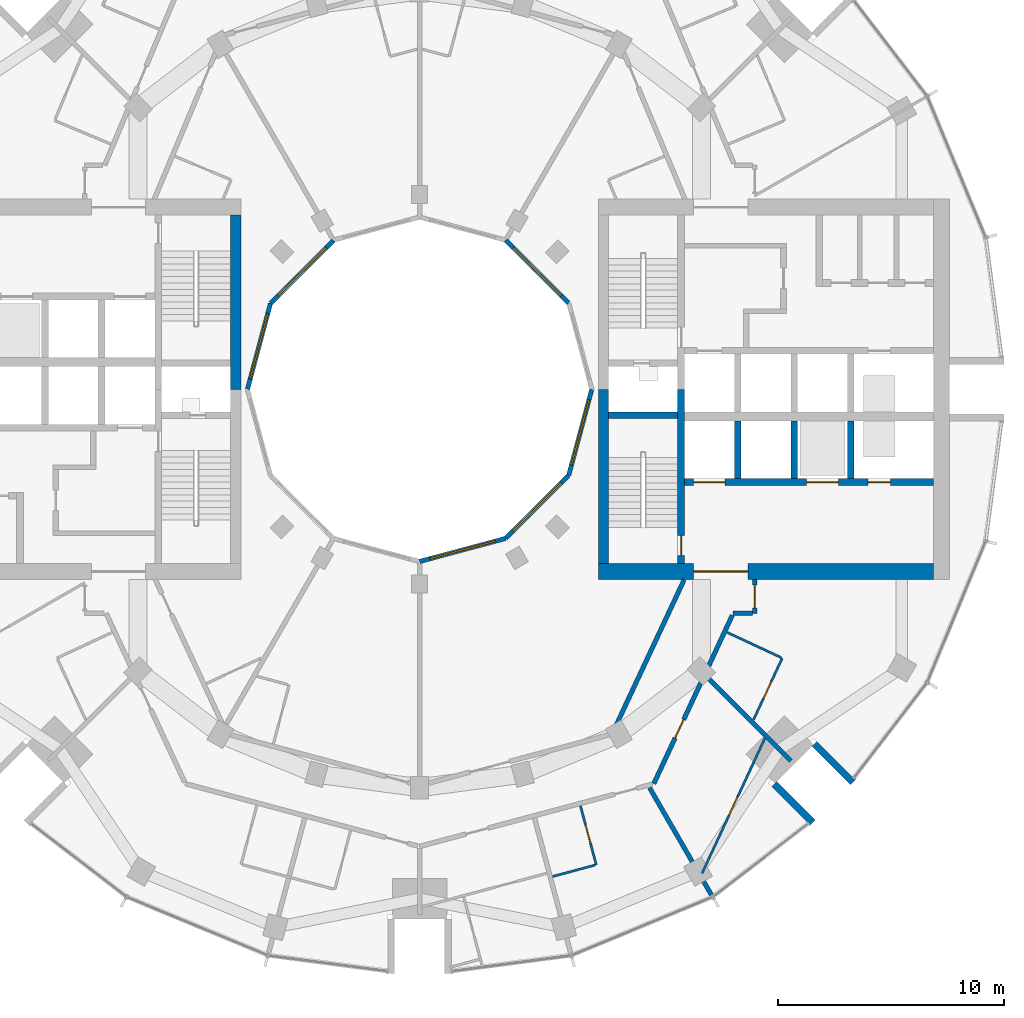
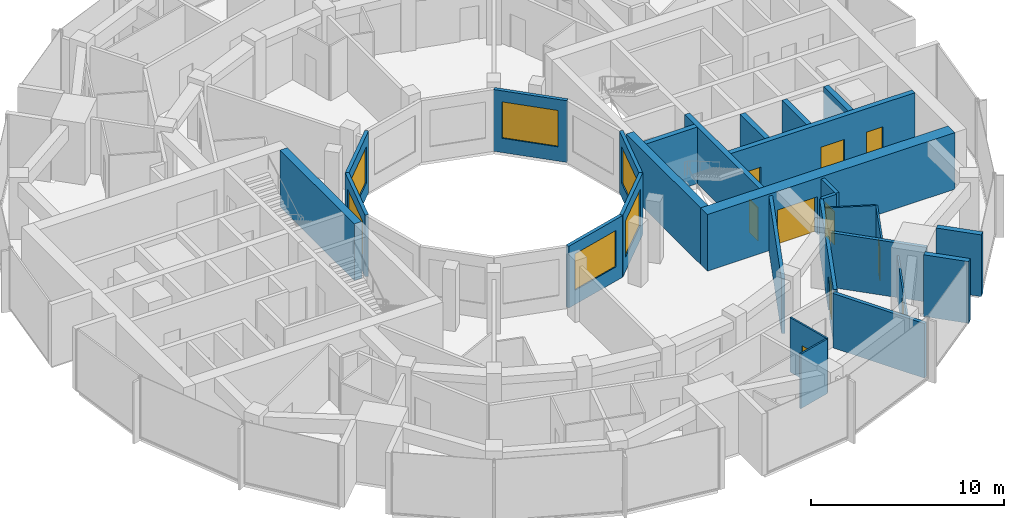
# One storey, part 10 of 15: 28 walls, 10 doors, 6 windows, 16 openings.
"""IFC4 building model written with IfcOpenShell, lengths in metres."""

from ifc_helpers import new_model, si_unit, direction, frame, frame_2d, origin, place, context, subcontext, project, spatial, rectangle, extrude, material, layer, layer_set, type_object, element, fill, save


model = new_model("IFC4")

# Units and contexts
model_context = context("Model", 3, precision=1e-05, world=origin(), true_north=direction((0.0, 1.0)))
body_context = subcontext(model_context, "Body", "Model", "MODEL_VIEW")
ifc_project = project(units=[si_unit("LENGTHUNIT", "METRE"), si_unit("AREAUNIT", "SQUARE_METRE"), si_unit("VOLUMEUNIT", "CUBIC_METRE"), si_unit("PLANEANGLEUNIT", "RADIAN"), si_unit("MASSUNIT", "GRAM", prefix="KILO")], contexts=[model_context])

# Site, building, storey
site_placement = place(None, origin())
site = spatial("IfcSite", under=ifc_project, at=site_placement, CompositionType="ELEMENT")
building_placement = place(site_placement, origin())
building = spatial("IfcBuilding", under=site, at=building_placement, Name="Torre Brocal", CompositionType="ELEMENT")
storey_placement = place(building_placement, frame((0.0, 0.0, 134.10009765625)))
storey = spatial("IfcBuildingStorey", under=building, at=storey_placement, Name="L31", CompositionType="ELEMENT", Elevation=134.10009765625)

# Wall, opening, door
ifc_material_1 = material(Name="Concrete C70", Category="concrete")
ifc_layer_1 = layer(ifc_material_1, 0.300048828125)
ifc_layer_set_1 = layer_set([ifc_layer_1], Name="Concrete C70")
wall_type_1 = type_object("IfcWallType", Name="CORE WALL 300 C70", PredefinedType="SHEAR", material=ifc_layer_set_1)
wall_1_placement = place(storey_placement, frame((91.550048828125, 67.300048828125, 0.0), z_axis=(0.0, 0.0, 1.0), x_axis=(0.0, 1.0, 0.0)))
wall_1 = element("IfcWall", 1, at=wall_1_placement, inside=storey, type_object=wall_type_1, Name="Wall CW300-70", PredefinedType="SHEAR", context=body_context, shape_type="SweptSolid", body=[
    extrude(rectangle(XDim=7.699951171875, YDim=0.300048828125, at=frame_2d((3.85009765625, 0.0))), origin(), (0.0, 0.0, 1.0), 3.579833984375),
])
opening_1_placement = place(wall_1_placement, frame((0.35009765625, 0.0, 0.0)))
opening_1 = element("IfcOpeningElement", 2, at=opening_1_placement, cuts=wall_1, Name="Opening E-D03", PredefinedType="OPENING", context=body_context, shape_type="SweptSolid", body=[
    extrude(rectangle(XDim=0.89990234375, YDim=2.10009765625, at=frame_2d((0.449951171875, 1.050048828125))), frame((0.0, 0.159912109375, 0.0), z_axis=(0.0, -1.0, 0.0), x_axis=(1.0, 0.0, 0.0)), (0.0, 0.0, 1.0), 0.320068359375),
])
ifc_material_2 = material(Name="Steel A653", Category="steel")
door_type_1 = type_object("IfcDoorType", Name="STAIR DOOR FD120 900X2100", OperationType="SINGLE_SWING_RIGHT", PredefinedType="DOOR", material=ifc_material_2)
door_1_placement = place(opening_1_placement, origin())
door_1 = element("IfcDoor", 3, at=door_1_placement, inside=storey, type_object=door_type_1, Name="Door E-D03", OperationType="SINGLE_SWING_LEFT", OverallHeight=2.10009765625, OverallWidth=0.89990234375, PredefinedType="DOOR", context=body_context, shape_type="SweptSolid", body=[
    extrude(rectangle(XDim=0.89990234375, YDim=2.10009765625, at=frame_2d((0.449951171875, 1.050048828125))), frame((0.0, 0.02490234375, 0.0), z_axis=(0.0, -1.0, 0.0), x_axis=(1.0, 0.0, 0.0)), (0.0, 0.0, 1.0), 0.050048828125),
])
fill(opening_1, door_1)

# Wall
wall_2_placement = place(storey_placement, frame((88.35009765625, 73.85009765625, 0.0), z_axis=(0.0, 0.0, 1.0), x_axis=(1.0, 0.0, 0.0)))
element("IfcWall", 4, at=wall_2_placement, inside=storey, type_object=wall_type_1, Name="Wall CW300-70", PredefinedType="SHEAR", context=body_context, shape_type="SweptSolid", body=[
    extrude(rectangle(XDim=3.0498046875, YDim=0.300048828125, at=frame_2d((1.52490234375, 0.0))), origin(), (0.0, 0.0, 1.0), 3.579833984375),
])

# Wall, openings, doors
wall_3_placement = place(storey_placement, frame((91.699951171875, 70.89990234375, 0.0), z_axis=(0.0, 0.0, 1.0), x_axis=(1.0, 0.0, 0.0)))
wall_3 = element("IfcWall", 5, at=wall_3_placement, inside=storey, type_object=wall_type_1, Name="Wall CW300-70", PredefinedType="SHEAR", context=body_context, shape_type="SweptSolid", body=[
    extrude(rectangle(XDim=11.0, YDim=0.300048828125, at=frame_2d((5.5, 0.0))), origin(), (0.0, 0.0, 1.0), 3.579833984375),
])
opening_2_placement = place(wall_3_placement, frame((0.39990234375, 0.0, 0.0)))
opening_2 = element("IfcOpeningElement", 6, at=opening_2_placement, cuts=wall_3, Name="Opening LD14", PredefinedType="OPENING", context=body_context, shape_type="SweptSolid", body=[
    extrude(rectangle(XDim=1.39990234375, YDim=2.10009765625, at=frame_2d((0.699951171875, 1.050048828125))), frame((0.0, 0.159912109375, 0.0), z_axis=(0.0, -1.0, 0.0), x_axis=(1.0, 0.0, 0.0)), (0.0, 0.0, 1.0), 0.320068359375),
])
opening_3_placement = place(wall_3_placement, frame((5.39990234375, 0.0, 0.0)))
opening_3 = element("IfcOpeningElement", 7, at=opening_3_placement, cuts=wall_3, Name="Opening LD14", PredefinedType="OPENING", context=body_context, shape_type="SweptSolid", body=[
    extrude(rectangle(XDim=1.39990234375, YDim=2.10009765625, at=frame_2d((0.699951171875, 1.050048828125))), frame((0.0, 0.159912109375, 0.0), z_axis=(0.0, -1.0, 0.0), x_axis=(1.0, 0.0, 0.0)), (0.0, 0.0, 1.0), 0.320068359375),
])
opening_4_placement = place(wall_3_placement, frame((8.10009765625, 0.0, 0.0)))
opening_4 = element("IfcOpeningElement", 8, at=opening_4_placement, cuts=wall_3, Name="Opening LD10", PredefinedType="OPENING", context=body_context, shape_type="SweptSolid", body=[
    extrude(rectangle(XDim=1.0, YDim=2.10009765625, at=frame_2d((0.5, 1.050048828125))), frame((0.0, 0.159912109375, 0.0), z_axis=(0.0, -1.0, 0.0), x_axis=(1.0, 0.0, 0.0)), (0.0, 0.0, 1.0), 0.320068359375),
])
ifc_material_3 = material(Name="Stainless steel AISI 316", Category="steel")
door_type_2 = type_object("IfcDoorType", Name="LIFT LANDING DOOR 1000X2100", OperationType="DOUBLE_DOOR_SLIDING", PredefinedType="DOOR", material=ifc_material_3)
door_2_placement = place(opening_4_placement, origin())
door_2 = element("IfcDoor", 9, at=door_2_placement, inside=storey, type_object=door_type_2, Name="Door LD10", OperationType="DOUBLE_DOOR_SLIDING", OverallHeight=2.10009765625, OverallWidth=1.0, PredefinedType="DOOR", context=body_context, shape_type="SweptSolid", body=[
    extrude(rectangle(XDim=1.0, YDim=2.10009765625, at=frame_2d((0.5, 1.050048828125))), frame((0.0, 0.02490234375, 0.0), z_axis=(0.0, -1.0, 0.0), x_axis=(1.0, 0.0, 0.0)), (0.0, 0.0, 1.0), 0.050048828125),
])
fill(opening_4, door_2)
ifc_material_4 = material(Name="Stainless steel AISI 316", Category="steel")
door_type_3 = type_object("IfcDoorType", Name="LIFT LANDING DOOR 1400X2100", OperationType="DOUBLE_DOOR_SLIDING", PredefinedType="DOOR", material=ifc_material_4)
door_3_placement = place(opening_2_placement, origin())
door_3 = element("IfcDoor", 10, at=door_3_placement, inside=storey, type_object=door_type_3, Name="Door LD14", OperationType="DOUBLE_DOOR_SLIDING", OverallHeight=2.10009765625, OverallWidth=1.39990234375, PredefinedType="DOOR", context=body_context, shape_type="SweptSolid", body=[
    extrude(rectangle(XDim=1.39990234375, YDim=2.10009765625, at=frame_2d((0.699951171875, 1.050048828125))), frame((0.0, 0.02490234375, 0.0), z_axis=(0.0, -1.0, 0.0), x_axis=(1.0, 0.0, 0.0)), (0.0, 0.0, 1.0), 0.050048828125),
])
fill(opening_2, door_3)
door_4_placement = place(opening_3_placement, origin())
door_4 = element("IfcDoor", 11, at=door_4_placement, inside=storey, type_object=door_type_3, Name="Door LD14", OperationType="DOUBLE_DOOR_SLIDING", OverallHeight=2.10009765625, OverallWidth=1.39990234375, PredefinedType="DOOR", context=body_context, shape_type="SweptSolid", body=[
    extrude(rectangle(XDim=1.39990234375, YDim=2.10009765625, at=frame_2d((0.699951171875, 1.050048828125))), frame((0.0, 0.02490234375, 0.0), z_axis=(0.0, -1.0, 0.0), x_axis=(1.0, 0.0, 0.0)), (0.0, 0.0, 1.0), 0.050048828125),
])
fill(opening_3, door_4)

# Walls
for number, where, z_axis, x_axis, name in (
    (12, (94.050048828125, 71.050048828125, 0.0), (0.0, 0.0, 1.0), (0.0, 1.0, 0.0), "Wall CW300-70"),
    (13, (96.550048828125, 71.050048828125, 0.0), (0.0, 0.0, 1.0), (0.0, 1.0, 0.0), "Wall CW300-70"),
    (14, (99.050048828125, 71.050048828125, 0.0), (0.0, 0.0, 1.0), (0.0, 1.0, 0.0), "Wall CW300-70"),
):
    element("IfcWall", number, at=place(storey_placement, frame(where, z_axis=z_axis, x_axis=x_axis)), inside=storey, type_object=wall_type_1, Name=name, PredefinedType="SHEAR", context=body_context, shape_type="SweptSolid", body=[
        extrude(rectangle(XDim=2.550048828125, YDim=0.300048828125, at=frame_2d((1.27490234375, 0.0))), origin(), (0.0, 0.0, 1.0), 3.579833984375),
    ])
ifc_material_5 = material(Name="Concrete C70", Category="concrete")
ifc_layer_2 = layer(ifc_material_5, 0.449951171875)
ifc_layer_set_2 = layer_set([ifc_layer_2], Name="Concrete C70")
wall_type_2 = type_object("IfcWallType", Name="CORE WALL 450 C70", PredefinedType="SHEAR", material=ifc_layer_set_2)
for number, where, z_axis, x_axis, name in (
    (15, (88.125, 67.300048828125, 0.0), (0.0, 0.0, 1.0), (0.0, 1.0, 0.0), "Wall CW450-70"),
    (16, (71.875, 82.699951171875, 0.0), (0.0, 0.0, 1.0), (0.0, -1.0, 0.0), "Wall CW450-70"),
):
    element("IfcWall", number, at=place(storey_placement, frame(where, z_axis=z_axis, x_axis=x_axis)), inside=storey, type_object=wall_type_2, Name=name, PredefinedType="SHEAR", context=body_context, shape_type="SweptSolid", body=[
        extrude(rectangle(XDim=7.699951171875, YDim=0.449951171875, at=frame_2d((3.85009765625, 0.0))), origin(), (0.0, 0.0, 1.0), 3.579833984375),
    ])

# Wall, opening, door
ifc_material_6 = material(Name="Concrete C70", Category="concrete")
ifc_layer_3 = layer(ifc_material_6, 0.699951171875)
ifc_layer_set_3 = layer_set([ifc_layer_3], Name="Concrete C70")
wall_type_3 = type_object("IfcWallType", Name="CORE WALL 700 C70", PredefinedType="SHEAR", material=ifc_layer_set_3)
wall_4_placement = place(storey_placement, frame((87.89990234375, 66.949951171875, 0.0), z_axis=(0.0, 0.0, 1.0), x_axis=(1.0, 0.0, 0.0)))
wall_4 = element("IfcWall", 17, at=wall_4_placement, inside=storey, type_object=wall_type_3, Name="Wall CW700-70", PredefinedType="SHEAR", context=body_context, shape_type="SweptSolid", body=[
    extrude(rectangle(XDim=14.800048828125, YDim=0.699951171875, at=frame_2d((7.39990234375, 0.0))), origin(), (0.0, 0.0, 1.0), 3.579833984375),
])
opening_5_placement = place(wall_4_placement, frame((4.199951171875, 0.0, 0.0)))
opening_5 = element("IfcOpeningElement", 18, at=opening_5_placement, cuts=wall_4, Name="Opening E-D30", PredefinedType="OPENING", context=body_context, shape_type="SweptSolid", body=[
    extrude(rectangle(XDim=2.39990234375, YDim=2.39990234375, at=frame_2d((1.199951171875, 1.199951171875))), frame((0.0, 0.35986328125, 0.0), z_axis=(0.0, -1.0, 0.0), x_axis=(1.0, 0.0, 0.0)), (0.0, 0.0, 1.0), 0.719970703125),
])
ifc_material_7 = material(Name="Steel A653", Category="steel")
door_type_4 = type_object("IfcDoorType", Name="DOUBLE FIRE DOOR FD90 2400X2400", OperationType="DOUBLE_DOOR_SINGLE_SWING", PredefinedType="DOOR", material=ifc_material_7)
door_5_placement = place(opening_5_placement, origin())
door_5 = element("IfcDoor", 19, at=door_5_placement, inside=storey, type_object=door_type_4, Name="Door E-D30", OperationType="DOUBLE_DOOR_SINGLE_SWING", OverallHeight=2.39990234375, OverallWidth=2.39990234375, PredefinedType="DOOR", context=body_context, shape_type="SweptSolid", body=[
    extrude(rectangle(XDim=2.39990234375, YDim=2.39990234375, at=frame_2d((1.199951171875, 1.199951171875))), frame((0.0, 0.02490234375, 0.0), z_axis=(0.0, -1.0, 0.0), x_axis=(1.0, 0.0, 0.0)), (0.0, 0.0, 1.0), 0.050048828125),
])
fill(opening_5, door_5)

# Walls
ifc_material_8 = material(Name="Concrete C70", Category="concrete")
ifc_layer_4 = layer(ifc_material_8, 0.300048828125)
ifc_layer_set_4 = layer_set([ifc_layer_4], Name="Concrete C70")
wall_type_4 = type_object("IfcWallType", Name="NOTCH RETURN WALL 300 C70", PredefinedType="NOTDEFINED", material=ifc_layer_set_4)
for number, where, z_axis, x_axis, name in (
    (20, (95.662353515625, 57.56982421875, 0.0), (0.0, 0.0, 1.0), (0.707106781187, -0.707106781187, 0.0), "NOTCH RETURN WALL"),
    (21, (97.43017578125, 59.337646484375, 0.0), (0.0, 0.0, 1.0), (0.707106781187, -0.707106781187, 0.0), "NOTCH RETURN WALL"),
):
    element("IfcWall", number, at=place(storey_placement, frame(where, z_axis=z_axis, x_axis=x_axis)), inside=storey, type_object=wall_type_4, Name=name, PredefinedType="NOTDEFINED", context=body_context, shape_type="SweptSolid", body=[
        extrude(rectangle(XDim=2.415771484375, YDim=0.300048828125, at=frame_2d((1.2080078125, 0.0))), origin(), (0.0, 0.0, 1.0), 3.89990234375),
    ])
ifc_material_9 = material(Name="Gypsum board", Category="Gypsum")
ifc_layer_5 = layer(ifc_material_9, 0.10009765625)
ifc_layer_set_5 = layer_set([ifc_layer_5], Name="Gypsum board")
wall_type_5 = type_object("IfcWallType", Name="PARTITION 100", PredefinedType="PARTITIONING", material=ifc_layer_set_5)
wall_5_placement = place(storey_placement, frame((85.87060546875, 53.477783203125, 0.0), z_axis=(0.0, 0.0, 1.0), x_axis=(0.965853538138, 0.25908867761, 0.0)))
element("IfcWall", 22, at=wall_5_placement, inside=storey, type_object=wall_type_5, Name="BATHROOM WALL", PredefinedType="PARTITIONING", context=body_context, shape_type="SweptSolid", body=[
    extrude(rectangle(XDim=1.94970703125, YDim=0.10009765625, at=frame_2d((0.974853515625, 0.0))), origin(), (0.0, 0.0, 1.0), 3.449951171875),
])

# Wall, opening, door
wall_6_placement = place(storey_placement, frame((87.10302734375, 56.60400390625, 0.0), z_axis=(0.0, 0.0, 1.0), x_axis=(0.258883730688, -0.965908491517, 0.0)))
wall_6 = element("IfcWall", 23, at=wall_6_placement, inside=storey, type_object=wall_type_5, Name="BATHROOM WALL", PredefinedType="PARTITIONING", context=body_context, shape_type="SweptSolid", body=[
    extrude(rectangle(XDim=2.699951171875, YDim=0.10009765625, at=frame_2d((1.35009765625, 0.0))), origin(), (0.0, 0.0, 1.0), 3.449951171875),
])
opening_6_placement = place(wall_6_placement, frame((0.899658203125, 0.0, 0.0)))
opening_6 = element("IfcOpeningElement", 24, at=opening_6_placement, cuts=wall_6, Name="Opening E02-D30", PredefinedType="OPENING", context=body_context, shape_type="SweptSolid", body=[
    extrude(rectangle(XDim=0.800048828125, YDim=2.10009765625, at=frame_2d((0.39990234375, 1.050048828125))), frame((0.0, 0.06005859375, 0.0), z_axis=(0.0, -1.0, 0.0), x_axis=(1.0, 0.0, 0.0)), (0.0, 0.0, 1.0), 0.1201171875),
])
ifc_material_10 = material(Name="Timber", Category="wood")
door_type_5 = type_object("IfcDoorType", Name="BATHROOM DOOR 800X2100", OperationType="SINGLE_SWING_LEFT", PredefinedType="DOOR", material=ifc_material_10)
door_6_placement = place(opening_6_placement, frame((0.800048828125, 0.0, 0.0), z_axis=(0.0, 0.0, 1.0), x_axis=(-1.0, 0.0, 0.0)))
door_6 = element("IfcDoor", 25, at=door_6_placement, inside=storey, type_object=door_type_5, Name="E02-D30", OperationType="SINGLE_SWING_RIGHT", OverallHeight=2.10009765625, OverallWidth=0.800048828125, PredefinedType="DOOR", context=body_context, shape_type="SweptSolid", body=[
    extrude(rectangle(XDim=0.800048828125, YDim=2.10009765625, at=frame_2d((0.39990234375, 1.050048828125))), frame((0.0, 0.02490234375, 0.0), z_axis=(0.0, -1.0, 0.0), x_axis=(1.0, 0.0, 0.0)), (0.0, 0.0, 1.0), 0.050048828125),
])
fill(opening_6, door_6)

# Wall
wall_7_placement = place(storey_placement, frame((93.581787109375, 64.2626953125, 0.0), z_axis=(0.0, 0.0, 1.0), x_axis=(0.906494794209, -0.422216991691, 0.0)))
element("IfcWall", 26, at=wall_7_placement, inside=storey, type_object=wall_type_5, Name="BATHROOM WALL", PredefinedType="PARTITIONING", context=body_context, shape_type="SweptSolid", body=[
    extrude(rectangle(XDim=2.6396484375, YDim=0.10009765625, at=frame_2d((1.31982421875, 0.0))), origin(), (0.0, 0.0, 1.0), 3.449951171875),
])

# Wall, opening, door
wall_8_placement = place(storey_placement, frame((94.752685546875, 60.40771484375, 0.0), z_axis=(0.0, 0.0, 1.0), x_axis=(0.422435455794, 0.906393008406, 0.0)))
wall_8 = element("IfcWall", 27, at=wall_8_placement, inside=storey, type_object=wall_type_5, Name="BATHROOM WALL", PredefinedType="PARTITIONING", context=body_context, shape_type="SweptSolid", body=[
    extrude(rectangle(XDim=3.0, YDim=0.10009765625, at=frame_2d((1.5, 0.0))), origin(), (0.0, 0.0, 1.0), 3.449951171875),
])
opening_7_placement = place(wall_8_placement, frame((1.0400390625, 0.0, 0.0)))
opening_7 = element("IfcOpeningElement", 28, at=opening_7_placement, cuts=wall_8, Name="Opening E02-D26", PredefinedType="OPENING", context=body_context, shape_type="SweptSolid", body=[
    extrude(rectangle(XDim=0.800048828125, YDim=2.10009765625, at=frame_2d((0.39990234375, 1.050048828125))), frame((0.0, 0.06005859375, 0.0), z_axis=(0.0, -1.0, 0.0), x_axis=(1.0, 0.0, 0.0)), (0.0, 0.0, 1.0), 0.1201171875),
])
door_7_placement = place(opening_7_placement, origin())
door_7 = element("IfcDoor", 29, at=door_7_placement, inside=storey, type_object=door_type_5, Name="E02-D26", OperationType="SINGLE_SWING_LEFT", OverallHeight=2.10009765625, OverallWidth=0.800048828125, PredefinedType="DOOR", context=body_context, shape_type="SweptSolid", body=[
    extrude(rectangle(XDim=0.800048828125, YDim=2.10009765625, at=frame_2d((0.39990234375, 1.050048828125))), frame((0.0, 0.02490234375, 0.0), z_axis=(0.0, -1.0, 0.0), x_axis=(1.0, 0.0, 0.0)), (0.0, 0.0, 1.0), 0.050048828125),
])
fill(opening_7, door_7)

ifc_material_11 = material(Name="Gypsum board", Category="Gypsum")
ifc_layer_6 = layer(ifc_material_11, 0.10009765625)
ifc_layer_set_6 = layer_set([ifc_layer_6], Name="Gypsum board")
wall_type_6 = type_object("IfcWallType", Name="PARTITION 100 UNDER BEAM 1220", PredefinedType="PARTITIONING", material=ifc_layer_set_6)
wall_9_placement = place(storey_placement, frame((92.47705078125, 53.618896484375, 0.0), z_axis=(0.0, 0.0, 1.0), x_axis=(0.421913254756, 0.90663620348, 0.0)))
wall_9 = element("IfcWall", 30, at=wall_9_placement, inside=storey, type_object=wall_type_6, Name="ROOM PARTITION", PredefinedType="PARTITIONING", context=body_context, shape_type="SweptSolid", body=[
    extrude(rectangle(XDim=6.572998046875, YDim=0.10009765625, at=frame_2d((3.28662109375, 0.0))), origin(), (0.0, 0.0, 1.0), 2.679931640625),
])
opening_8_placement = place(wall_9_placement, frame((2.831298828125, 0.0, 0.0)))
opening_8 = element("IfcOpeningElement", 31, at=opening_8_placement, cuts=wall_9, Name="Opening E02-D28", PredefinedType="OPENING", context=body_context, shape_type="SweptSolid", body=[
    extrude(rectangle(XDim=0.89990234375, YDim=2.10009765625, at=frame_2d((0.449951171875, 1.050048828125))), frame((0.0, 0.06005859375, 0.0), z_axis=(0.0, -1.0, 0.0), x_axis=(1.0, 0.0, 0.0)), (0.0, 0.0, 1.0), 0.1201171875),
])
ifc_material_12 = material(Name="Timber", Category="wood")
door_type_6 = type_object("IfcDoorType", Name="ROOM DOOR 900X2100", OperationType="SINGLE_SWING_LEFT", PredefinedType="DOOR", material=ifc_material_12)
door_8_placement = place(opening_8_placement, frame((0.89990234375, 0.0, 0.0), z_axis=(0.0, 0.0, 1.0), x_axis=(-1.0, 0.0, 0.0)))
door_8 = element("IfcDoor", 32, at=door_8_placement, inside=storey, type_object=door_type_6, Name="E02-D28", OperationType="SINGLE_SWING_LEFT", OverallHeight=2.10009765625, OverallWidth=0.89990234375, PredefinedType="DOOR", context=body_context, shape_type="SweptSolid", body=[
    extrude(rectangle(XDim=0.89990234375, YDim=2.10009765625, at=frame_2d((0.449951171875, 1.050048828125))), frame((0.0, 0.02490234375, 0.0), z_axis=(0.0, -1.0, 0.0), x_axis=(1.0, 0.0, 0.0)), (0.0, 0.0, 1.0), 0.050048828125),
])
fill(opening_8, door_8)

# Walls
ifc_material_13 = material(Name="Gypsum board", Category="Gypsum")
ifc_layer_7 = layer(ifc_material_13, 0.199951171875)
ifc_layer_set_7 = layer_set([ifc_layer_7], Name="Gypsum board")
wall_type_7 = type_object("IfcWallType", Name="PARTITION 200 EI60", PredefinedType="PARTITIONING", material=ifc_layer_set_7)
wall_10_placement = place(storey_placement, frame((88.501708984375, 59.774169921875, 0.0), z_axis=(0.0, 0.0, 1.0), x_axis=(0.423423307095, 0.905931952747, 0.0)))
element("IfcWall", 33, at=wall_10_placement, inside=storey, type_object=wall_type_7, Name="GUESTROOM CORRIDOR WALL", PredefinedType="PARTITIONING", context=body_context, shape_type="SweptSolid", body=[
    extrude(rectangle(XDim=7.528564453125, YDim=0.199951171875, at=frame_2d((3.76416015625, 0.0))), origin(), (0.0, 0.0, 1.0), 3.449951171875),
])
wall_11_placement = place(storey_placement, frame((90.15966796875, 57.3955078125, 0.0), z_axis=(0.0, 0.0, 1.0), x_axis=(0.499848624781, -0.86611278267, 0.0)))
element("IfcWall", 34, at=wall_11_placement, inside=storey, type_object=wall_type_7, Name="SERVICE ROOM WALL", PredefinedType="PARTITIONING", context=body_context, shape_type="SweptSolid", body=[
    extrude(rectangle(XDim=5.471923828125, YDim=0.199951171875, at=frame_2d((2.73583984375, 0.0))), origin(), (0.0, 0.0, 1.0), 3.449951171875),
])

# Wall, opening, door
wall_12_placement = place(storey_placement, frame((90.345947265625, 57.577880859375, 0.0), z_axis=(0.0, 0.0, 1.0), x_axis=(0.422476720533, 0.906373775331, 0.0)))
wall_12 = element("IfcWall", 35, at=wall_12_placement, inside=storey, type_object=wall_type_7, Name="GUESTROOM CORRIDOR WALL", PredefinedType="PARTITIONING", context=body_context, shape_type="SweptSolid", body=[
    extrude(rectangle(XDim=8.208251953125, YDim=0.199951171875, at=frame_2d((4.10400390625, 0.0))), origin(), (0.0, 0.0, 1.0), 3.449951171875),
])
opening_9_placement = place(wall_12_placement, frame((2.22265625, 0.0, 0.0)))
opening_9 = element("IfcOpeningElement", 36, at=opening_9_placement, cuts=wall_12, Name="Opening E02-D27", PredefinedType="OPENING", context=body_context, shape_type="SweptSolid", body=[
    extrude(rectangle(XDim=0.89990234375, YDim=2.10009765625, at=frame_2d((0.449951171875, 1.050048828125))), frame((0.0, 0.10986328125, 0.0), z_axis=(0.0, -1.0, 0.0), x_axis=(1.0, 0.0, 0.0)), (0.0, 0.0, 1.0), 0.219970703125),
])
door_9_placement = place(opening_9_placement, frame((0.89990234375, 0.0, 0.0), z_axis=(0.0, 0.0, 1.0), x_axis=(-1.0, 0.0, 0.0)))
door_9 = element("IfcDoor", 37, at=door_9_placement, inside=storey, type_object=door_type_6, Name="E02-D27", OperationType="SINGLE_SWING_LEFT", OverallHeight=2.10009765625, OverallWidth=0.89990234375, PredefinedType="DOOR", context=body_context, shape_type="SweptSolid", body=[
    extrude(rectangle(XDim=0.89990234375, YDim=2.10009765625, at=frame_2d((0.449951171875, 1.050048828125))), frame((0.0, 0.02490234375, 0.0), z_axis=(0.0, -1.0, 0.0), x_axis=(1.0, 0.0, 0.0)), (0.0, 0.0, 1.0), 0.050048828125),
])
fill(opening_9, door_9)

# Walls
wall_13_placement = place(storey_placement, frame((92.691650390625, 62.303466796875, 0.0), z_axis=(0.0, 0.0, 1.0), x_axis=(0.706943936447, -0.707269588432, 0.0)))
element("IfcWall", 38, at=wall_13_placement, inside=storey, type_object=wall_type_7, Name="BATHROOM WALL", PredefinedType="PARTITIONING", context=body_context, shape_type="SweptSolid", body=[
    extrude(rectangle(XDim=5.247802734375, YDim=0.199951171875, at=frame_2d((2.6240234375, 0.0))), origin(), (0.0, 0.0, 1.0), 3.449951171875),
])
wall_14_placement = place(storey_placement, frame((93.85107421875, 65.10009765625, 0.0), z_axis=(0.0, 0.0, 1.0), x_axis=(1.0, 0.0, 0.0)))
element("IfcWall", 39, at=wall_14_placement, inside=storey, type_object=wall_type_7, Name="GUESTROOM CORRIDOR WALL", PredefinedType="PARTITIONING", context=body_context, shape_type="SweptSolid", body=[
    extrude(rectangle(XDim=0.848876953125, YDim=0.199951171875, at=frame_2d((0.42431640625, 0.0))), origin(), (0.0, 0.0, 1.0), 3.449951171875),
])

# Wall, opening, door
wall_15_placement = place(storey_placement, frame((94.800048828125, 65.10009765625, 0.0), z_axis=(0.0, 0.0, 1.0), x_axis=(0.0, 1.0, 0.0)))
wall_15 = element("IfcWall", 40, at=wall_15_placement, inside=storey, type_object=wall_type_7, Name="GUESTROOM CORRIDOR WALL", PredefinedType="PARTITIONING", context=body_context, shape_type="SweptSolid", body=[
    extrude(rectangle(XDim=1.4990234375, YDim=0.199951171875, at=frame_2d((0.74951171875, 0.0))), origin(), (0.0, 0.0, 1.0), 3.449951171875),
])
opening_10_placement = place(wall_15_placement, frame((0.25, 0.0, 0.0)))
opening_10 = element("IfcOpeningElement", 41, at=opening_10_placement, cuts=wall_15, Name="Opening E02-D25", PredefinedType="OPENING", context=body_context, shape_type="SweptSolid", body=[
    extrude(rectangle(XDim=1.0, YDim=2.10009765625, at=frame_2d((0.5, 1.050048828125))), frame((0.0, 0.10986328125, 0.0), z_axis=(0.0, -1.0, 0.0), x_axis=(1.0, 0.0, 0.0)), (0.0, 0.0, 1.0), 0.219970703125),
])
ifc_material_14 = material(Name="Timber", Category="wood")
door_type_7 = type_object("IfcDoorType", Name="FLAT ENTRY DOOR FD30S 1000X2100", OperationType="SINGLE_SWING_RIGHT", PredefinedType="DOOR", material=ifc_material_14)
door_10_placement = place(opening_10_placement, frame((1.0, 0.0, 0.0), z_axis=(0.0, 0.0, 1.0), x_axis=(-1.0, 0.0, 0.0)))
door_10 = element("IfcDoor", 42, at=door_10_placement, inside=storey, type_object=door_type_7, Name="E02-D25", OperationType="SINGLE_SWING_LEFT", OverallHeight=2.10009765625, OverallWidth=1.0, PredefinedType="DOOR", context=body_context, shape_type="SweptSolid", body=[
    extrude(rectangle(XDim=1.0, YDim=2.10009765625, at=frame_2d((0.5, 1.050048828125))), frame((0.0, 0.02490234375, 0.0), z_axis=(0.0, -1.0, 0.0), x_axis=(1.0, 0.0, 0.0)), (0.0, 0.0, 1.0), 0.050048828125),
])
fill(opening_10, door_10)

# Wall, opening, window
ifc_material_15 = material(Name="Concrete C40", Category="concrete")
ifc_layer_8 = layer(ifc_material_15, 0.199951171875)
ifc_layer_set_8 = layer_set([ifc_layer_8], Name="Concrete C40")
wall_type_8 = type_object("IfcWallType", Name="WELL FACADE WALL 200", PredefinedType="NOTDEFINED", material=ifc_layer_set_8)
wall_16_placement = place(storey_placement, frame((86.5849609375, 78.8017578125, 0.0), z_axis=(0.0, 0.0, 1.0), x_axis=(-0.707106781187, 0.707106781187, 0.0)))
wall_16 = element("IfcWall", 43, at=wall_16_placement, inside=storey, type_object=wall_type_8, Name="WELL FACADE WALL", PredefinedType="NOTDEFINED", context=body_context, shape_type="SweptSolid", body=[
    extrude(rectangle(XDim=3.93603515625, YDim=0.199951171875, at=frame_2d((1.968017578125, 0.0))), origin(), (0.0, 0.0, 1.0), 3.89990234375),
])
opening_11_placement = place(wall_16_placement, frame((0.468017578125, 0.0, 0.89990234375)))
opening_11 = element("IfcOpeningElement", 44, at=opening_11_placement, cuts=wall_16, Name="Opening W1", PredefinedType="OPENING", context=body_context, shape_type="SweptSolid", body=[
    extrude(rectangle(XDim=3.0, YDim=2.300048828125, at=frame_2d((1.5, 1.14990234375))), frame((0.0, 0.10986328125, 0.0), z_axis=(0.0, -1.0, 0.0), x_axis=(1.0, 0.0, 0.0)), (0.0, 0.0, 1.0), 0.219970703125),
])
ifc_material_16 = material(Name="Aluminium and glass", Category="aluminium")
window_type = type_object("IfcWindowType", Name="WELL WINDOW 3000X2300", PartitioningType="SINGLE_PANEL", PredefinedType="WINDOW", material=ifc_material_16)
window_1_placement = place(opening_11_placement, origin())
window_1 = element("IfcWindow", 45, at=window_1_placement, inside=storey, type_object=window_type, Name="WELL WINDOW 3000X2300", OverallHeight=2.300048828125, OverallWidth=3.0, PartitioningType="SINGLE_PANEL", PredefinedType="WINDOW", context=body_context, shape_type="SweptSolid", body=[
    extrude(rectangle(XDim=3.0, YDim=2.300048828125, at=frame_2d((1.5, 1.14990234375))), frame((0.0, 0.030029296875, 0.0), z_axis=(0.0, -1.0, 0.0), x_axis=(1.0, 0.0, 0.0)), (0.0, 0.0, 1.0), 0.06005859375),
])
fill(opening_11, window_1)

wall_17_placement = place(storey_placement, frame((76.1982421875, 81.5849609375, 0.0), z_axis=(0.0, 0.0, 1.0), x_axis=(-0.707106781187, -0.707106781187, 0.0)))
wall_17 = element("IfcWall", 46, at=wall_17_placement, inside=storey, type_object=wall_type_8, Name="WELL FACADE WALL", PredefinedType="NOTDEFINED", context=body_context, shape_type="SweptSolid", body=[
    extrude(rectangle(XDim=3.93603515625, YDim=0.199951171875, at=frame_2d((1.968017578125, 0.0))), origin(), (0.0, 0.0, 1.0), 3.89990234375),
])
opening_12_placement = place(wall_17_placement, frame((0.468017578125, 0.0, 0.89990234375)))
opening_12 = element("IfcOpeningElement", 47, at=opening_12_placement, cuts=wall_17, Name="Opening W1", PredefinedType="OPENING", context=body_context, shape_type="SweptSolid", body=[
    extrude(rectangle(XDim=3.0, YDim=2.300048828125, at=frame_2d((1.5, 1.14990234375))), frame((0.0, 0.10986328125, 0.0), z_axis=(0.0, -1.0, 0.0), x_axis=(1.0, 0.0, 0.0)), (0.0, 0.0, 1.0), 0.219970703125),
])
window_2_placement = place(opening_12_placement, origin())
window_2 = element("IfcWindow", 48, at=window_2_placement, inside=storey, type_object=window_type, Name="WELL WINDOW 3000X2300", OverallHeight=2.300048828125, OverallWidth=3.0, PartitioningType="SINGLE_PANEL", PredefinedType="WINDOW", context=body_context, shape_type="SweptSolid", body=[
    extrude(rectangle(XDim=3.0, YDim=2.300048828125, at=frame_2d((1.5, 1.14990234375))), frame((0.0, 0.030029296875, 0.0), z_axis=(0.0, -1.0, 0.0), x_axis=(1.0, 0.0, 0.0)), (0.0, 0.0, 1.0), 0.06005859375),
])
fill(opening_12, window_2)

wall_18_placement = place(storey_placement, frame((73.4150390625, 78.8017578125, 0.0), z_axis=(0.0, 0.0, 1.0), x_axis=(-0.258789828301, -0.965933654434, 0.0)))
wall_18 = element("IfcWall", 49, at=wall_18_placement, inside=storey, type_object=wall_type_8, Name="WELL FACADE WALL", PredefinedType="NOTDEFINED", context=body_context, shape_type="SweptSolid", body=[
    extrude(rectangle(XDim=3.935791015625, YDim=0.199951171875, at=frame_2d((1.9677734375, 0.0))), origin(), (0.0, 0.0, 1.0), 3.89990234375),
])
opening_13_placement = place(wall_18_placement, frame((0.468017578125, 0.0, 0.89990234375)))
opening_13 = element("IfcOpeningElement", 50, at=opening_13_placement, cuts=wall_18, Name="Opening W1", PredefinedType="OPENING", context=body_context, shape_type="SweptSolid", body=[
    extrude(rectangle(XDim=3.0, YDim=2.300048828125, at=frame_2d((1.5, 1.14990234375))), frame((0.0, 0.10986328125, 0.0), z_axis=(0.0, -1.0, 0.0), x_axis=(1.0, 0.0, 0.0)), (0.0, 0.0, 1.0), 0.219970703125),
])
window_3_placement = place(opening_13_placement, origin())
window_3 = element("IfcWindow", 51, at=window_3_placement, inside=storey, type_object=window_type, Name="WELL WINDOW 3000X2300", OverallHeight=2.300048828125, OverallWidth=3.0, PartitioningType="SINGLE_PANEL", PredefinedType="WINDOW", context=body_context, shape_type="SweptSolid", body=[
    extrude(rectangle(XDim=3.0, YDim=2.300048828125, at=frame_2d((1.5, 1.14990234375))), frame((0.0, 0.030029296875, 0.0), z_axis=(0.0, -1.0, 0.0), x_axis=(1.0, 0.0, 0.0)), (0.0, 0.0, 1.0), 0.06005859375),
])
fill(opening_13, window_3)

wall_19_placement = place(storey_placement, frame((80.0, 67.396484375, 0.0), z_axis=(0.0, 0.0, 1.0), x_axis=(0.965933654434, 0.258789828301, 0.0)))
wall_19 = element("IfcWall", 52, at=wall_19_placement, inside=storey, type_object=wall_type_8, Name="WELL FACADE WALL", PredefinedType="NOTDEFINED", context=body_context, shape_type="SweptSolid", body=[
    extrude(rectangle(XDim=3.935791015625, YDim=0.199951171875, at=frame_2d((1.9677734375, 0.0))), origin(), (0.0, 0.0, 1.0), 3.89990234375),
])
opening_14_placement = place(wall_19_placement, frame((0.468017578125, 0.0, 0.89990234375)))
opening_14 = element("IfcOpeningElement", 53, at=opening_14_placement, cuts=wall_19, Name="Opening W1", PredefinedType="OPENING", context=body_context, shape_type="SweptSolid", body=[
    extrude(rectangle(XDim=3.0, YDim=2.300048828125, at=frame_2d((1.5, 1.14990234375))), frame((0.0, 0.10986328125, 0.0), z_axis=(0.0, -1.0, 0.0), x_axis=(1.0, 0.0, 0.0)), (0.0, 0.0, 1.0), 0.219970703125),
])
window_4_placement = place(opening_14_placement, origin())
window_4 = element("IfcWindow", 54, at=window_4_placement, inside=storey, type_object=window_type, Name="WELL WINDOW 3000X2300", OverallHeight=2.300048828125, OverallWidth=3.0, PartitioningType="SINGLE_PANEL", PredefinedType="WINDOW", context=body_context, shape_type="SweptSolid", body=[
    extrude(rectangle(XDim=3.0, YDim=2.300048828125, at=frame_2d((1.5, 1.14990234375))), frame((0.0, 0.030029296875, 0.0), z_axis=(0.0, -1.0, 0.0), x_axis=(1.0, 0.0, 0.0)), (0.0, 0.0, 1.0), 0.06005859375),
])
fill(opening_14, window_4)

wall_20_placement = place(storey_placement, frame((83.8017578125, 68.4150390625, 0.0), z_axis=(0.0, 0.0, 1.0), x_axis=(0.707106781187, 0.707106781187, 0.0)))
wall_20 = element("IfcWall", 55, at=wall_20_placement, inside=storey, type_object=wall_type_8, Name="WELL FACADE WALL", PredefinedType="NOTDEFINED", context=body_context, shape_type="SweptSolid", body=[
    extrude(rectangle(XDim=3.93603515625, YDim=0.199951171875, at=frame_2d((1.968017578125, 0.0))), origin(), (0.0, 0.0, 1.0), 3.89990234375),
])
opening_15_placement = place(wall_20_placement, frame((0.468017578125, 0.0, 0.89990234375)))
opening_15 = element("IfcOpeningElement", 56, at=opening_15_placement, cuts=wall_20, Name="Opening W1", PredefinedType="OPENING", context=body_context, shape_type="SweptSolid", body=[
    extrude(rectangle(XDim=3.0, YDim=2.300048828125, at=frame_2d((1.5, 1.14990234375))), frame((0.0, 0.10986328125, 0.0), z_axis=(0.0, -1.0, 0.0), x_axis=(1.0, 0.0, 0.0)), (0.0, 0.0, 1.0), 0.219970703125),
])
window_5_placement = place(opening_15_placement, origin())
window_5 = element("IfcWindow", 57, at=window_5_placement, inside=storey, type_object=window_type, Name="WELL WINDOW 3000X2300", OverallHeight=2.300048828125, OverallWidth=3.0, PartitioningType="SINGLE_PANEL", PredefinedType="WINDOW", context=body_context, shape_type="SweptSolid", body=[
    extrude(rectangle(XDim=3.0, YDim=2.300048828125, at=frame_2d((1.5, 1.14990234375))), frame((0.0, 0.030029296875, 0.0), z_axis=(0.0, -1.0, 0.0), x_axis=(1.0, 0.0, 0.0)), (0.0, 0.0, 1.0), 0.06005859375),
])
fill(opening_15, window_5)

wall_21_placement = place(storey_placement, frame((86.5849609375, 71.1982421875, 0.0), z_axis=(0.0, 0.0, 1.0), x_axis=(0.258789828301, 0.965933654434, 0.0)))
wall_21 = element("IfcWall", 58, at=wall_21_placement, inside=storey, type_object=wall_type_8, Name="WELL FACADE WALL", PredefinedType="NOTDEFINED", context=body_context, shape_type="SweptSolid", body=[
    extrude(rectangle(XDim=3.935791015625, YDim=0.199951171875, at=frame_2d((1.9677734375, 0.0))), origin(), (0.0, 0.0, 1.0), 3.89990234375),
])
opening_16_placement = place(wall_21_placement, frame((0.468017578125, 0.0, 0.89990234375)))
opening_16 = element("IfcOpeningElement", 59, at=opening_16_placement, cuts=wall_21, Name="Opening W1", PredefinedType="OPENING", context=body_context, shape_type="SweptSolid", body=[
    extrude(rectangle(XDim=3.0, YDim=2.300048828125, at=frame_2d((1.5, 1.14990234375))), frame((0.0, 0.10986328125, 0.0), z_axis=(0.0, -1.0, 0.0), x_axis=(1.0, 0.0, 0.0)), (0.0, 0.0, 1.0), 0.219970703125),
])
window_6_placement = place(opening_16_placement, origin())
window_6 = element("IfcWindow", 60, at=window_6_placement, inside=storey, type_object=window_type, Name="WELL WINDOW 3000X2300", OverallHeight=2.300048828125, OverallWidth=3.0, PartitioningType="SINGLE_PANEL", PredefinedType="WINDOW", context=body_context, shape_type="SweptSolid", body=[
    extrude(rectangle(XDim=3.0, YDim=2.300048828125, at=frame_2d((1.5, 1.14990234375))), frame((0.0, 0.030029296875, 0.0), z_axis=(0.0, -1.0, 0.0), x_axis=(1.0, 0.0, 0.0)), (0.0, 0.0, 1.0), 0.06005859375),
])
fill(opening_16, window_6)

save(model, "model.ifc")
